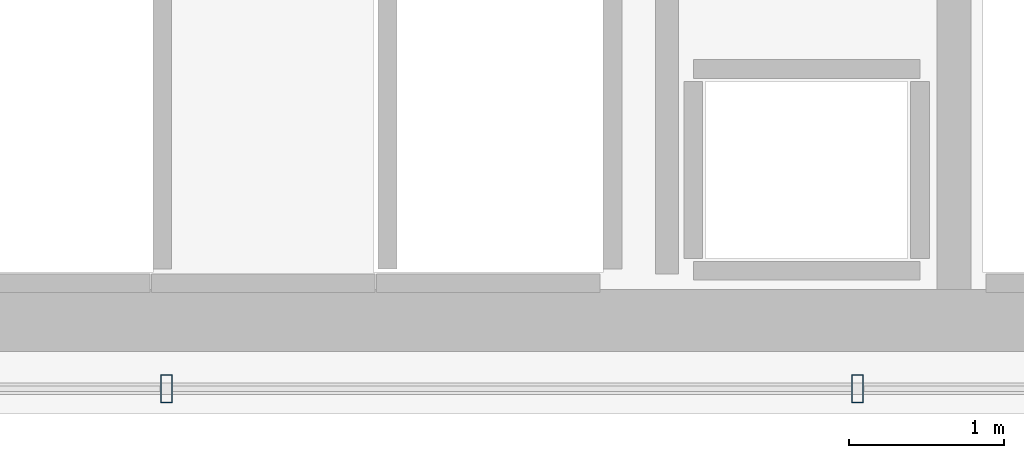
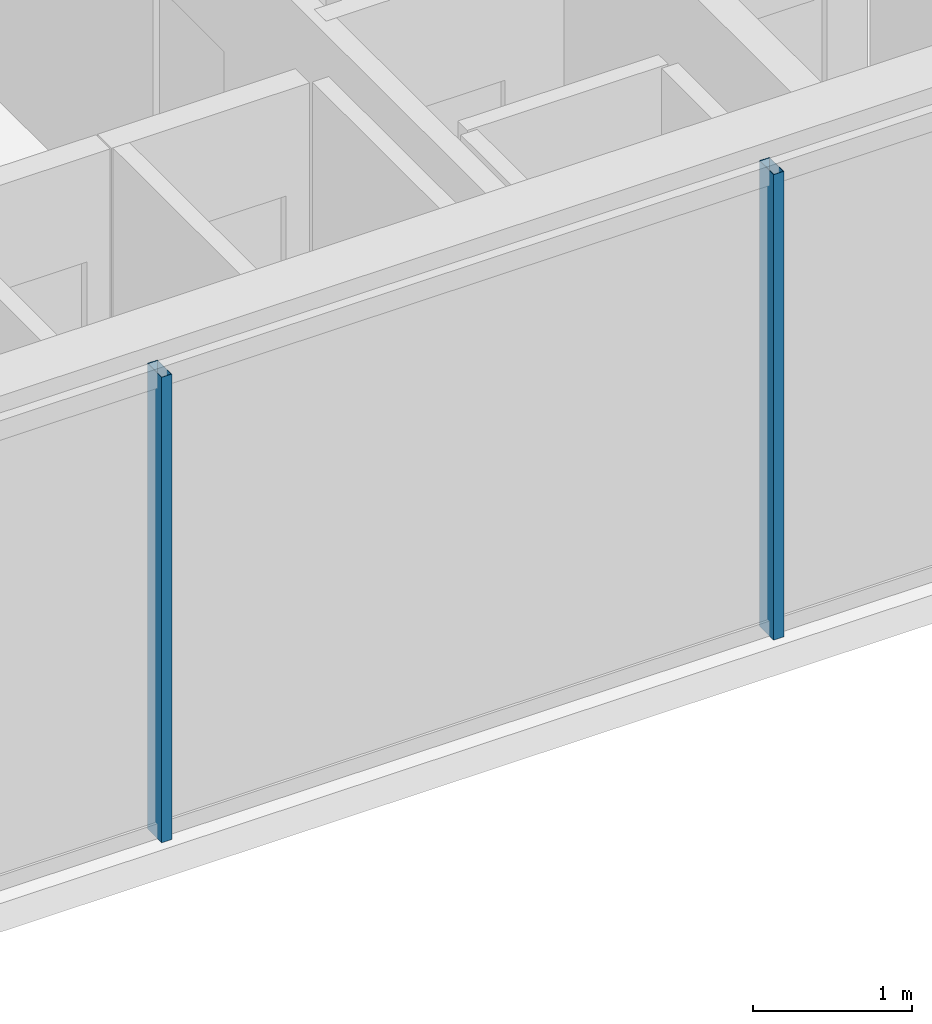
# One storey, part 9 of 32: 2 members, 1 element without a shape of its own.
"""IFC4 building model written with IfcOpenShell, lengths in metres."""

import ifcopenshell
import ifcopenshell.guid

model = None  # the IFC model being written
_history = None  # IfcOwnerHistory: only IFC2X3 demands one
_inside = {}  # id of a spatial element -> (the spatial element, [elements in it])
_under = {}  # id of a project, library or spatial element -> (it, [spatial elements below it])
_declared = {}  # id of a project -> (the project, [libraries it declares])
_typed = {}  # id of a type object -> (the type object, [elements of that type])
_made_of = {}  # id of a material, layer set ... -> (it, [elements and type objects made of it])


def new_model(schema):
    """Start an empty IFC model of exactly this schema.

    Asked for "IFC4X3", IfcOpenShell would pick the latest addendum, in which some entities
    have other attributes; the version numbers below select the first issue.
    IFC2X3 requires an IfcOwnerHistory on every rooted entity: one is made here for all.
    """
    global model, _history
    if schema == "IFC4X3":
        model = ifcopenshell.file(schema_version=(4, 3, 0, 0))
    else:
        model = ifcopenshell.file(schema=schema)
    _inside.clear()
    _under.clear()
    _declared.clear()
    _typed.clear()
    _made_of.clear()
    _history = None
    if model.schema == "IFC2X3":
        org = make("IfcOrganization", Name="unknown")
        user = make(
            "IfcPersonAndOrganization",
            ThePerson=make("IfcPerson", FamilyName="unknown"),
            TheOrganization=org,
        )
        app = make(
            "IfcApplication",
            ApplicationDeveloper=org,
            Version="unknown",
            ApplicationFullName="unknown",
            ApplicationIdentifier="unknown",
        )
        _history = make(
            "IfcOwnerHistory",
            OwningUser=user,
            OwningApplication=app,
            ChangeAction="ADDED",
            CreationDate=0,
        )
    return model


def make(cls, **values):
    """One entity of the class cls with the attributes given. An attribute that is None is left unset."""
    return model.create_entity(
        cls, **{name: value for name, value in values.items() if value is not None}
    )


def rooted(cls, **values):
    """An entity with a GlobalId (a new one), such as an element, a storey or a relation."""
    return make(cls, GlobalId=ifcopenshell.guid.new(), OwnerHistory=_history, **values)


def si_unit(unit_type, name, prefix=None):
    """IfcSIUnit, for example si_unit("LENGTHUNIT", "METRE", prefix="MILLI")."""
    return make("IfcSIUnit", UnitType=unit_type, Prefix=prefix, Name=name)


def assignment(units):
    """IfcUnitAssignment: the units of a project."""
    return None if units is None else make("IfcUnitAssignment", Units=units)


def point(xyz):
    """IfcCartesianPoint."""
    return None if xyz is None else make("IfcCartesianPoint", Coordinates=xyz)


def direction(xyz):
    """IfcDirection."""
    return None if xyz is None else make("IfcDirection", DirectionRatios=xyz)


def frame(location, z_axis=None, x_axis=None):
    """IfcAxis2Placement3D, a coordinate frame: its origin and axes. An axis left out is left unset."""
    return make(
        "IfcAxis2Placement3D",
        Location=point(location),
        Axis=direction(z_axis),
        RefDirection=direction(x_axis),
    )


def frame_2d(location, x_axis=None):
    """IfcAxis2Placement2D, a coordinate frame in the plane: its origin and x axis."""
    return make(
        "IfcAxis2Placement2D", Location=point(location), RefDirection=direction(x_axis)
    )


def origin():
    """The frame at (0, 0, 0) with its axes left unset."""
    return frame((0.0, 0.0, 0.0))


def origin_2d():
    """The frame at (0, 0) in the plane with its x axis left unset."""
    return frame_2d((0.0, 0.0))


def place(relative_to, where):
    """IfcLocalPlacement: puts the frame where relative to a parent placement (None: the world)."""
    return make(
        "IfcLocalPlacement", PlacementRelTo=relative_to, RelativePlacement=where
    )


def context(
    kind, dimensions, precision=None, world=None, true_north=None, identifier=None
):
    """IfcGeometricRepresentationContext, for example the 3D "Model" context."""
    return make(
        "IfcGeometricRepresentationContext",
        ContextIdentifier=identifier,
        ContextType=kind,
        CoordinateSpaceDimension=dimensions,
        Precision=precision,
        WorldCoordinateSystem=world,
        TrueNorth=true_north,
    )


def subcontext(parent, identifier, kind, view, scale=None):
    """IfcGeometricRepresentationSubContext, for example "Body" below "Model"."""
    return make(
        "IfcGeometricRepresentationSubContext",
        ContextIdentifier=identifier,
        ContextType=kind,
        ParentContext=parent,
        TargetScale=scale,
        TargetView=view,
    )


def project(units=None, contexts=None):
    """IfcProject with its units and contexts."""
    return rooted(
        "IfcProject",
        Name="project",
        RepresentationContexts=contexts,
        UnitsInContext=assignment(units),
    )


def spatial(cls, under=None, at=None, **own):
    """A site, building, storey or space (cls), placed at a placement, below another one or the project."""
    s = rooted(cls, ObjectPlacement=at, **own)
    if under is not None:
        _under.setdefault(under.id(), (under, []))[1].append(s)
    return s


def profile(cls, at=None, kind="AREA", **sizes):
    """A parametric profile (cls). Its sizes go by their IFC names, for example OverallWidth=200.0."""
    return make(cls, ProfileType=kind, Position=at, **sizes)


def hollow_rectangle(**sizes):
    """IfcRectangleHollowProfileDef."""
    return profile("IfcRectangleHollowProfileDef", **sizes)


def extrude(swept, where, along, depth):
    """IfcExtrudedAreaSolid: the profile swept, set in the frame where, extruded along a direction by depth."""
    return make(
        "IfcExtrudedAreaSolid",
        SweptArea=swept,
        Position=where,
        ExtrudedDirection=direction(along),
        Depth=depth,
    )


def shape(context_of_items, identifier, shape_type, items):
    """IfcShapeRepresentation: the items that make up one representation, for example the "Body"."""
    return make(
        "IfcShapeRepresentation",
        ContextOfItems=context_of_items,
        RepresentationIdentifier=identifier,
        RepresentationType=shape_type,
        Items=items,
    )


def material(Name=None, Category=None):
    """IfcMaterial."""
    return make("IfcMaterial", Name=Name, Category=Category)


def layer(
    of_material, thickness, ventilated=None, Name=None, Category=None, Priority=None
):
    """IfcMaterialLayer: one layer of a wall or slab, of a material (None: an air gap)."""
    return make(
        "IfcMaterialLayer",
        Material=of_material,
        LayerThickness=thickness,
        IsVentilated=ventilated,
        Name=Name,
        Category=Category,
        Priority=Priority,
    )


def layer_set(layers, Name=None):
    """IfcMaterialLayerSet."""
    return make("IfcMaterialLayerSet", MaterialLayers=layers, LayerSetName=Name)


def material_profile(
    of_material, cross_section, Name=None, Category=None, Priority=None
):
    """IfcMaterialProfile: a cross section and its material."""
    return make(
        "IfcMaterialProfile",
        Name=Name,
        Material=of_material,
        Profile=cross_section,
        Priority=Priority,
        Category=Category,
    )


def profile_set(profiles, Name=None, composite=None):
    """IfcMaterialProfileSet."""
    return make(
        "IfcMaterialProfileSet",
        Name=Name,
        MaterialProfiles=profiles,
        CompositeProfile=composite,
    )


def made_of(thing, what):
    """Note that an element or type object is made of a material, layer set ...; save() writes the relation."""
    if what is not None:
        _made_of.setdefault(what.id(), (what, []))[1].append(thing)
    return thing


def type_object(cls, material=None, **own):
    """A type object (cls), such as IfcWallType, which elements share."""
    return made_of(rooted(cls, **own), material)


def element(
    cls,
    number,
    at=None,
    inside=None,
    cuts=None,
    type_object=None,
    material=None,
    context=None,
    identifier="Body",
    shape_type=None,
    held_by="IfcProductDefinitionShape",
    body=None,
    shapes=None,
    **own,
):
    """One element of the class cls, such as IfcWall. Its Tag is "e" and its number.

    at: its placement. inside: the storey or other place that contains it. cuts: it is an
    opening in that element (IfcRelVoidsElement). A single representation is given by context,
    identifier, shape_type and body (its items); several are given by shapes. held_by: the class
    of the entity that holds the representations. save() writes the other relations.
    """
    e = rooted(cls, Tag="e%d" % number, ObjectPlacement=at, **own)
    if body is not None:
        shapes = [shape(context, identifier, shape_type, body)]
    if shapes is not None:
        e.Representation = make(held_by, Representations=shapes)
    if inside is not None:
        _inside.setdefault(inside.id(), (inside, []))[1].append(e)
    if cuts is not None:
        rooted(
            "IfcRelVoidsElement", RelatingBuildingElement=cuts, RelatedOpeningElement=e
        )
    if type_object is not None:
        _typed.setdefault(type_object.id(), (type_object, []))[1].append(e)
    return made_of(e, material)


def aggregate(whole, parts):
    """IfcRelAggregates: a whole, such as a stair, and the parts it consists of."""
    return rooted("IfcRelAggregates", RelatingObject=whole, RelatedObjects=parts)


def save(model, path):
    """Write the relations noted so far, then the file.

    IfcRelAggregates (storeys below a building ...), IfcRelContainedInSpatialStructure (elements
    in a storey), IfcRelDefinesByType, IfcRelAssociatesMaterial and IfcRelDeclares: one each for
    every whole, place, type object, material and project.
    """
    for whole, parts in _under.values():
        aggregate(whole, parts)
    for where, things in _inside.values():
        rooted(
            "IfcRelContainedInSpatialStructure",
            RelatedElements=things,
            RelatingStructure=where,
        )
    for kind, things in _typed.values():
        rooted("IfcRelDefinesByType", RelatedObjects=things, RelatingType=kind)
    for what, things in _made_of.values():
        rooted("IfcRelAssociatesMaterial", RelatedObjects=things, RelatingMaterial=what)
    for by, libraries in _declared.values():
        rooted("IfcRelDeclares", RelatingContext=by, RelatedDefinitions=libraries)
    model.write(path)


model = new_model("IFC4")

# Units and contexts
model_context = context("Model", 3, precision=1e-05, world=origin(), true_north=direction((0.0, 1.0)))
body_context = subcontext(model_context, "Body", "Model", "MODEL_VIEW")
ifc_project = project(units=[si_unit("LENGTHUNIT", "METRE"), si_unit("AREAUNIT", "SQUARE_METRE"), si_unit("VOLUMEUNIT", "CUBIC_METRE"), si_unit("PLANEANGLEUNIT", "RADIAN"), si_unit("MASSUNIT", "GRAM", prefix="KILO")], contexts=[model_context])

# Site, building, storey
site_placement = place(None, origin())
site = spatial("IfcSite", under=ifc_project, at=site_placement, CompositionType="ELEMENT")
building_placement = place(site_placement, origin())
building = spatial("IfcBuilding", under=site, at=building_placement, Name="Ndaravel Arena Tower", CompositionType="ELEMENT")
storey_placement = place(building_placement, frame((0.0, 0.0, 290.89990234375)))
storey = spatial("IfcBuildingStorey", under=building, at=storey_placement, Name="L71", CompositionType="ELEMENT", Elevation=290.89990234375)

# Curtain wall, members
ifc_material_1 = material(Name="Aluminium", Category="aluminium")
ifc_layer = layer(ifc_material_1, 0.179931640625)
ifc_layer_set = layer_set([ifc_layer], Name="Aluminium")
curtain_wall_type = type_object("IfcCurtainWallType", Name="CW-SYS-03", PredefinedType="NOTDEFINED", material=ifc_layer_set)
curtain_wall_placement = place(storey_placement, origin())
curtain_wall = element("IfcCurtainWall", 1, at=curtain_wall_placement, inside=storey, type_object=curtain_wall_type, Name="L71 Faceted Crystal Curtain Wall CW-L71-E01", PredefinedType="NOTDEFINED")
ifc_material_2 = material(Name="Aluminium", Category="aluminium")
ifc_material_profile = material_profile(ifc_material_2, hollow_rectangle(XDim=0.074951171875, YDim=0.179931640625, WallThickness=0.00390625, at=origin_2d()), Name="CW MULLION 75x180x4")
ifc_profile_set = profile_set([ifc_material_profile], Name="Aluminium")
member_type = type_object("IfcMemberType", Name="MEM-CW-MUL180", PredefinedType="MULLION", material=ifc_profile_set)
member_1_placement = place(storey_placement, frame((44.22607421875, 5.159912109375, 0.0), z_axis=(0.0, 0.0, 1.0), x_axis=(1.0, 0.0, 0.0)))
member_1 = element("IfcMember", 2, at=member_1_placement, type_object=member_type, Name="CW-L71-E01 Mullion 05", PredefinedType="MULLION", context=body_context, shape_type="SweptSolid", body=[
    extrude(hollow_rectangle(XDim=0.074951171875, YDim=0.179931640625, WallThickness=0.00390625, at=origin_2d()), origin(), (0.0, 0.0, 1.0), 3.580078125),
])
member_2_placement = place(storey_placement, frame((48.678466796875, 5.159912109375, 0.0), z_axis=(0.0, 0.0, 1.0), x_axis=(1.0, 0.0, 0.0)))
member_2 = element("IfcMember", 3, at=member_2_placement, type_object=member_type, Name="CW-L71-E01 Mullion 06", PredefinedType="MULLION", context=body_context, shape_type="SweptSolid", body=[
    extrude(hollow_rectangle(XDim=0.074951171875, YDim=0.179931640625, WallThickness=0.00390625, at=origin_2d()), origin(), (0.0, 0.0, 1.0), 3.580078125),
])
aggregate(curtain_wall, [member_1, member_2])

save(model, "model.ifc")
